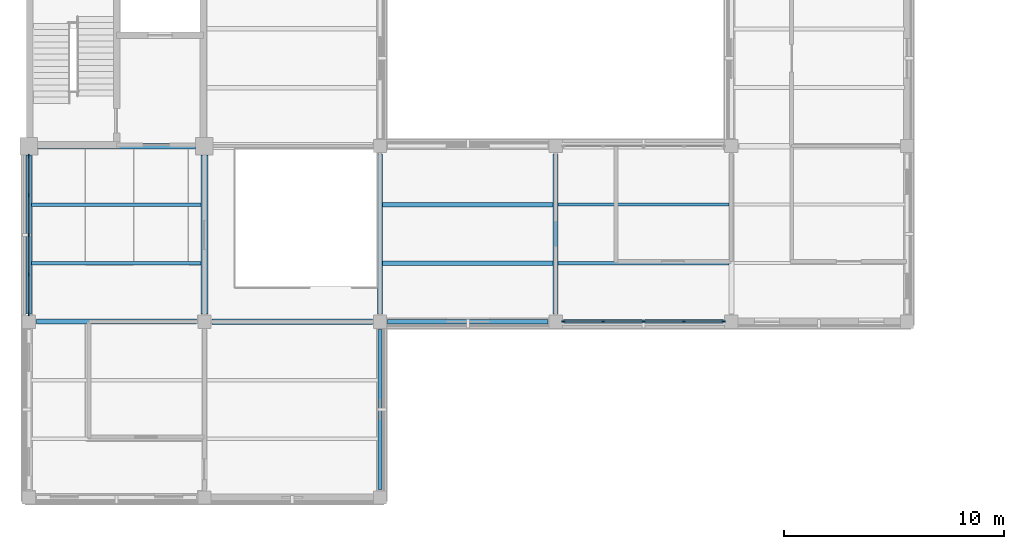
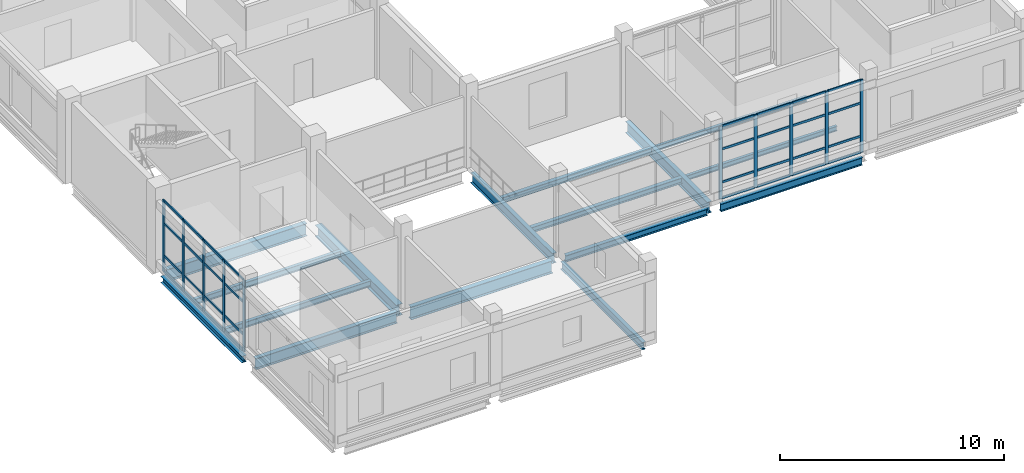
# One storey, part 9 of 121: 42 members, 16 beams, 2 elements without a shape of their own.
"""IFC4 building model written with IfcOpenShell, lengths in metres."""

from ifc_helpers import new_model, si_unit, derived_unit, direction, frame, origin, origin_2d, place, context, subcontext, project, spatial, rectangle, i_section, extrude, material, layer, layer_set, material_profile, profile_set, type_object, element, aggregate, save


model = new_model("IFC4")

# Units and contexts
model_context = context("Model", 3, precision=1e-05, world=origin(), true_north=direction((0.0, 1.0)))
body_context = subcontext(model_context, "Body", "Model", "MODEL_VIEW")
ifc_project = project(units=[si_unit("LENGTHUNIT", "METRE"), si_unit("AREAUNIT", "SQUARE_METRE"), si_unit("VOLUMEUNIT", "CUBIC_METRE"), si_unit("PLANEANGLEUNIT", "RADIAN"), si_unit("MASSUNIT", "GRAM", prefix="KILO"), derived_unit("THERMALTRANSMITTANCEUNIT", [(si_unit("MASSUNIT", "GRAM", prefix="KILO"), 1), (si_unit("TIMEUNIT", "SECOND"), -3), (si_unit("THERMODYNAMICTEMPERATUREUNIT", "KELVIN"), -1)])], contexts=[model_context])

# Site, building, storey
site_placement = place(None, origin())
site = spatial("IfcSite", under=ifc_project, at=site_placement, CompositionType="ELEMENT")
building_placement = place(site_placement, origin())
building = spatial("IfcBuilding", under=site, at=building_placement, Name="Veyamyaing Civic Hall", CompositionType="ELEMENT")
storey_placement = place(building_placement, frame((0.0, 0.0, 5.280029296875)))
storey = spatial("IfcBuildingStorey", under=building, at=storey_placement, Name="L01", CompositionType="ELEMENT", Elevation=5.280029296875)

# Beams
ifc_material_1 = material(Name="Steel ASTM A992", Category="steel")
ifc_material_profile_1 = material_profile(ifc_material_1, i_section(OverallWidth=0.22998046875, OverallDepth=0.616943359375, WebThickness=0.01318359375, FlangeThickness=0.022216796875, FilletRadius=0.012939453125, at=origin_2d()), Name="W610X140")
ifc_profile_set_1 = profile_set([ifc_material_profile_1], Name="Steel ASTM A992")
beam_type_1 = type_object("IfcBeamType", Name="B-05", PredefinedType="BEAM", material=ifc_profile_set_1)
for number, where, z_axis, x_axis, name in (
    (1, (0.35009765625, 8.0, -0.553466796875), (1.0, 0.0, 0.0), (0.0, 1.0, 0.0), "Girder B-05 L01 Grid B 1-2"),
    (2, (24.0, 8.35009765625, -0.553466796875), (0.0, 1.0, 0.0), (-1.0, 0.0, 0.0), "Girder B-05 L01 Grid 4 B-C"),
):
    element("IfcBeam", number, at=place(storey_placement, frame(where, z_axis=z_axis, x_axis=x_axis)), inside=storey, type_object=beam_type_1, Name=name, PredefinedType="BEAM", context=body_context, shape_type="SweptSolid", body=[
        extrude(i_section(OverallWidth=0.22998046875, OverallDepth=0.616943359375, WebThickness=0.01318359375, FlangeThickness=0.022216796875, FilletRadius=0.012939453125, at=origin_2d()), origin(), (0.0, 0.0, 1.0), 7.2998046875),
    ])
ifc_material_profile_2 = material_profile(ifc_material_1, i_section(OverallWidth=0.179931640625, OverallDepth=0.4130859375, WebThickness=0.009765625, FlangeThickness=0.01611328125, FilletRadius=0.010009765625, at=origin_2d()), Name="W410X74")
ifc_profile_set_2 = profile_set([ifc_material_profile_2], Name="Steel ASTM A992")
beam_type_2 = type_object("IfcBeamType", Name="B-10", PredefinedType="SPANDREL", material=ifc_profile_set_2)
beam_1_placement = place(storey_placement, frame((16.0, 0.35009765625, -0.451416015625), z_axis=(0.0, 1.0, 0.0), x_axis=(-1.0, 0.0, 0.0)))
element("IfcBeam", 3, at=beam_1_placement, inside=storey, type_object=beam_type_2, Name="Girder B-10 L01 Grid 3 A-B", PredefinedType="SPANDREL", context=body_context, shape_type="SweptSolid", body=[
    extrude(i_section(OverallWidth=0.179931640625, OverallDepth=0.4130859375, WebThickness=0.009765625, FlangeThickness=0.01611328125, FilletRadius=0.010009765625, at=origin_2d()), origin(), (0.0, 0.0, 1.0), 7.2998046875),
])
ifc_material_profile_3 = material_profile(ifc_material_1, i_section(OverallWidth=0.2041015625, OverallDepth=0.35009765625, WebThickness=0.0078125, FlangeThickness=0.01513671875, FilletRadius=0.010009765625, at=origin_2d()), Name="W360X72")
ifc_profile_set_3 = profile_set([ifc_material_profile_3], Name="Steel ASTM A992")
beam_type_3 = type_object("IfcBeamType", Name="B-11", PredefinedType="SPANDREL", material=ifc_profile_set_3)
beam_2_placement = place(storey_placement, frame((16.35009765625, 8.0, -0.419921875), z_axis=(1.0, 0.0, 0.0), x_axis=(0.0, 1.0, 0.0)))
element("IfcBeam", 4, at=beam_2_placement, inside=storey, type_object=beam_type_3, Name="Girder B-11 L01 Grid B 3-4", PredefinedType="SPANDREL", context=body_context, shape_type="SweptSolid", body=[
    extrude(i_section(OverallWidth=0.2041015625, OverallDepth=0.35009765625, WebThickness=0.0078125, FlangeThickness=0.01513671875, FilletRadius=0.010009765625, at=origin_2d()), origin(), (0.0, 0.0, 1.0), 7.2998046875),
])
ifc_material_profile_4 = material_profile(ifc_material_1, i_section(OverallWidth=0.25390625, OverallDepth=0.68408203125, WebThickness=0.012451171875, FlangeThickness=0.01904296875, FilletRadius=0.013916015625, at=origin_2d()), Name="W690X140")
ifc_profile_set_4 = profile_set([ifc_material_profile_4], Name="Steel ASTM A992")
beam_type_4 = type_object("IfcBeamType", Name="B-14", PredefinedType="BEAM", material=ifc_profile_set_4)
beam_3_placement = place(storey_placement, frame((8.35009765625, 8.0, -0.5869140625), z_axis=(1.0, 0.0, 0.0), x_axis=(0.0, 1.0, 0.0)))
element("IfcBeam", 5, at=beam_3_placement, inside=storey, type_object=beam_type_4, Name="Girder B-14 L01 Grid B 2-3", PredefinedType="BEAM", context=body_context, shape_type="SweptSolid", body=[
    extrude(i_section(OverallWidth=0.25390625, OverallDepth=0.68408203125, WebThickness=0.012451171875, FlangeThickness=0.01904296875, FilletRadius=0.013916015625, at=origin_2d()), origin(), (0.0, 0.0, 1.0), 7.2998046875),
])
beam_4_placement = place(storey_placement, frame((0.39990234375, 16.0, -0.5869140625), z_axis=(1.0, 0.0, 0.0), x_axis=(0.0, 1.0, 0.0)))
element("IfcBeam", 6, at=beam_4_placement, inside=storey, type_object=beam_type_4, Name="Girder B-14 L01 Grid C 1-2", PredefinedType="BEAM", context=body_context, shape_type="SweptSolid", body=[
    extrude(i_section(OverallWidth=0.25390625, OverallDepth=0.68408203125, WebThickness=0.012451171875, FlangeThickness=0.01904296875, FilletRadius=0.013916015625, at=origin_2d()), origin(), (0.0, 0.0, 1.0), 7.2001953125),
])
ifc_material_profile_5 = material_profile(ifc_material_1, i_section(OverallWidth=0.324951171875, OverallDepth=0.615966796875, WebThickness=0.013916015625, FlangeThickness=0.021484375, FilletRadius=0.013916015625, at=origin_2d()), Name="W610X174")
ifc_profile_set_5 = profile_set([ifc_material_profile_5], Name="Steel ASTM A992")
beam_type_5 = type_object("IfcBeamType", Name="B-15", PredefinedType="BEAM", material=ifc_profile_set_5)
beam_5_placement = place(storey_placement, frame((8.0, 8.35009765625, -0.552978515625), z_axis=(0.0, 1.0, 0.0), x_axis=(-1.0, 0.0, 0.0)))
element("IfcBeam", 7, at=beam_5_placement, inside=storey, type_object=beam_type_5, Name="Girder B-15 L01 Grid 2 B-C", PredefinedType="BEAM", context=body_context, shape_type="SweptSolid", body=[
    extrude(i_section(OverallWidth=0.324951171875, OverallDepth=0.615966796875, WebThickness=0.013916015625, FlangeThickness=0.021484375, FilletRadius=0.013916015625, at=origin_2d()), origin(), (0.0, 0.0, 1.0), 7.25),
])
ifc_material_profile_6 = material_profile(ifc_material_1, i_section(OverallWidth=0.214111328125, OverallDepth=0.549072265625, WebThickness=0.0146484375, FlangeThickness=0.023681640625, FilletRadius=0.011962890625, at=origin_2d()), Name="W530X138")
ifc_profile_set_6 = profile_set([ifc_material_profile_6], Name="Steel ASTM A992")
beam_type_6 = type_object("IfcBeamType", Name="B-16", PredefinedType="BEAM", material=ifc_profile_set_6)
beam_6_placement = place(storey_placement, frame((16.0, 8.35009765625, -0.51953125), z_axis=(0.0, 1.0, 0.0), x_axis=(-1.0, 0.0, 0.0)))
element("IfcBeam", 8, at=beam_6_placement, inside=storey, type_object=beam_type_6, Name="Girder B-16 L01 Grid 3 B-C", PredefinedType="BEAM", context=body_context, shape_type="SweptSolid", body=[
    extrude(i_section(OverallWidth=0.214111328125, OverallDepth=0.549072265625, WebThickness=0.0146484375, FlangeThickness=0.023681640625, FilletRadius=0.011962890625, at=origin_2d()), origin(), (0.0, 0.0, 1.0), 7.2998046875),
])
ifc_material_profile_7 = material_profile(ifc_material_1, i_section(OverallWidth=0.180908203125, OverallDepth=0.4169921875, WebThickness=0.010986328125, FlangeThickness=0.018310546875, FilletRadius=0.010009765625, at=origin_2d()), Name="W410X85")
ifc_profile_set_7 = profile_set([ifc_material_profile_7], Name="Steel ASTM A992")
beam_type_7 = type_object("IfcBeamType", Name="B-19", PredefinedType="SPANDREL", material=ifc_profile_set_7)
beam_7_placement = place(storey_placement, frame((24.35009765625, 8.0, -0.45361328125), z_axis=(1.0, 0.0, 0.0), x_axis=(0.0, 1.0, 0.0)))
element("IfcBeam", 9, at=beam_7_placement, inside=storey, type_object=beam_type_7, Name="Girder B-19 L01 Grid B 4-5", PredefinedType="SPANDREL", context=body_context, shape_type="SweptSolid", body=[
    extrude(i_section(OverallWidth=0.180908203125, OverallDepth=0.4169921875, WebThickness=0.010986328125, FlangeThickness=0.018310546875, FilletRadius=0.010009765625, at=origin_2d()), origin(), (0.0, 0.0, 1.0), 7.2998046875),
])
ifc_material_profile_8 = material_profile(ifc_material_1, i_section(OverallWidth=0.25390625, OverallDepth=0.35302734375, WebThickness=0.009521484375, FlangeThickness=0.016357421875, FilletRadius=0.011962890625, at=origin_2d()), Name="W360X91")
ifc_profile_set_8 = profile_set([ifc_material_profile_8], Name="Steel ASTM A992")
beam_type_8 = type_object("IfcBeamType", Name="B-20", PredefinedType="SPANDREL", material=ifc_profile_set_8)
beam_8_placement = place(storey_placement, frame((0.0, 8.35009765625, -0.421630859375), z_axis=(0.0, 1.0, 0.0), x_axis=(-1.0, 0.0, 0.0)))
element("IfcBeam", 10, at=beam_8_placement, inside=storey, type_object=beam_type_8, Name="Girder B-20 L01 Grid 1 B-C", PredefinedType="SPANDREL", context=body_context, shape_type="SweptSolid", body=[
    extrude(i_section(OverallWidth=0.25390625, OverallDepth=0.35302734375, WebThickness=0.009521484375, FlangeThickness=0.016357421875, FilletRadius=0.011962890625, at=origin_2d()), origin(), (0.0, 0.0, 1.0), 7.25),
])

# Curtain wall, members
ifc_material_2 = material(Name="Anodised aluminium 6063-T6", Category="aluminium")
ifc_layer = layer(ifc_material_2, 0.159912109375, Name="Anodised aluminium 6063-T6")
ifc_layer_set = layer_set([ifc_layer], Name="Anodised aluminium 6063-T6")
curtain_wall_type = type_object("IfcCurtainWallType", Name="CW-02", PredefinedType="NOTDEFINED", material=ifc_layer_set)
curtain_wall_1_placement = place(storey_placement, origin())
curtain_wall_1 = element("IfcCurtainWall", 11, at=curtain_wall_1_placement, inside=storey, type_object=curtain_wall_type, Name="Unitized curtain wall CW-02 L01 W 1.2", PredefinedType="NOTDEFINED")
ifc_material_profile_9 = material_profile(ifc_material_2, rectangle(XDim=0.06494140625, YDim=0.159912109375, at=origin_2d()), Name="ALU-MUL-65X160")
ifc_profile_set_9 = profile_set([ifc_material_profile_9], Name="Anodised aluminium 6063-T6")
member_type_1 = type_object("IfcMemberType", Name="CWM-01", PredefinedType="MULLION", material=ifc_profile_set_9)
member_1_placement = place(storey_placement, frame((0.0, 8.362548828125, 0.0), z_axis=(0.0, 0.0, 1.0), x_axis=(-1.0, 0.0, 0.0)))
member_1 = element("IfcMember", 12, at=member_1_placement, type_object=member_type_1, Name="CW-02 mullion 1", PredefinedType="MULLION", context=body_context, shape_type="SweptSolid", body=[
    extrude(rectangle(XDim=0.06494140625, YDim=0.159912109375, at=origin_2d()), origin(), (0.0, 0.0, 1.0), 3.9140625),
])
member_2_placement = place(storey_placement, frame((0.0, 10.139892578125, 0.0), z_axis=(0.0, 0.0, 1.0), x_axis=(-1.0, 0.0, 0.0)))
member_2 = element("IfcMember", 13, at=member_2_placement, type_object=member_type_1, Name="CW-02 mullion 2", PredefinedType="MULLION", context=body_context, shape_type="SweptSolid", body=[
    extrude(rectangle(XDim=0.06494140625, YDim=0.159912109375, at=origin_2d()), origin(), (0.0, 0.0, 1.0), 3.9140625),
])
member_3_placement = place(storey_placement, frame((0.0, 11.949951171875, 0.0), z_axis=(0.0, 0.0, 1.0), x_axis=(-1.0, 0.0, 0.0)))
member_3 = element("IfcMember", 14, at=member_3_placement, type_object=member_type_1, Name="CW-02 mullion 3", PredefinedType="MULLION", context=body_context, shape_type="SweptSolid", body=[
    extrude(rectangle(XDim=0.06494140625, YDim=0.159912109375, at=origin_2d()), origin(), (0.0, 0.0, 1.0), 3.9140625),
])
member_4_placement = place(storey_placement, frame((0.0, 13.760009765625, 0.0), z_axis=(0.0, 0.0, 1.0), x_axis=(-1.0, 0.0, 0.0)))
member_4 = element("IfcMember", 15, at=member_4_placement, type_object=member_type_1, Name="CW-02 mullion 4", PredefinedType="MULLION", context=body_context, shape_type="SweptSolid", body=[
    extrude(rectangle(XDim=0.06494140625, YDim=0.159912109375, at=origin_2d()), origin(), (0.0, 0.0, 1.0), 3.9140625),
])
member_5_placement = place(storey_placement, frame((0.0, 15.53759765625, 0.0), z_axis=(0.0, 0.0, 1.0), x_axis=(-1.0, 0.0, 0.0)))
member_5 = element("IfcMember", 16, at=member_5_placement, type_object=member_type_1, Name="CW-02 mullion 5", PredefinedType="MULLION", context=body_context, shape_type="SweptSolid", body=[
    extrude(rectangle(XDim=0.06494140625, YDim=0.159912109375, at=origin_2d()), origin(), (0.0, 0.0, 1.0), 3.9140625),
])

curtain_wall_2_placement = place(storey_placement, origin())
curtain_wall_2 = element("IfcCurtainWall", 17, at=curtain_wall_2_placement, inside=storey, type_object=curtain_wall_type, Name="Unitized curtain wall CW-02 L01 S 4.2", PredefinedType="NOTDEFINED")
member_6_placement = place(storey_placement, frame((24.362548828125, 8.0, 0.0), z_axis=(0.0, 0.0, 1.0), x_axis=(0.0, 1.0, 0.0)))
member_6 = element("IfcMember", 18, at=member_6_placement, type_object=member_type_1, Name="CW-02 mullion 1", PredefinedType="MULLION", context=body_context, shape_type="SweptSolid", body=[
    extrude(rectangle(XDim=0.06494140625, YDim=0.159912109375, at=origin_2d()), origin(), (0.0, 0.0, 1.0), 3.973876953125),
])
member_7_placement = place(storey_placement, frame((26.1650390625, 8.0, 0.0), z_axis=(0.0, 0.0, 1.0), x_axis=(0.0, 1.0, 0.0)))
member_7 = element("IfcMember", 19, at=member_7_placement, type_object=member_type_1, Name="CW-02 mullion 2", PredefinedType="MULLION", context=body_context, shape_type="SweptSolid", body=[
    extrude(rectangle(XDim=0.06494140625, YDim=0.159912109375, at=origin_2d()), origin(), (0.0, 0.0, 1.0), 3.973876953125),
])
member_8_placement = place(storey_placement, frame((28.0, 8.0, 0.0), z_axis=(0.0, 0.0, 1.0), x_axis=(0.0, 1.0, 0.0)))
member_8 = element("IfcMember", 20, at=member_8_placement, type_object=member_type_1, Name="CW-02 mullion 3", PredefinedType="MULLION", context=body_context, shape_type="SweptSolid", body=[
    extrude(rectangle(XDim=0.06494140625, YDim=0.159912109375, at=origin_2d()), origin(), (0.0, 0.0, 1.0), 3.973876953125),
])
member_9_placement = place(storey_placement, frame((29.8349609375, 8.0, 0.0), z_axis=(0.0, 0.0, 1.0), x_axis=(0.0, 1.0, 0.0)))
member_9 = element("IfcMember", 21, at=member_9_placement, type_object=member_type_1, Name="CW-02 mullion 4", PredefinedType="MULLION", context=body_context, shape_type="SweptSolid", body=[
    extrude(rectangle(XDim=0.06494140625, YDim=0.159912109375, at=origin_2d()), origin(), (0.0, 0.0, 1.0), 3.973876953125),
])
member_10_placement = place(storey_placement, frame((31.637451171875, 8.0, 0.0), z_axis=(0.0, 0.0, 1.0), x_axis=(0.0, 1.0, 0.0)))
member_10 = element("IfcMember", 22, at=member_10_placement, type_object=member_type_1, Name="CW-02 mullion 5", PredefinedType="MULLION", context=body_context, shape_type="SweptSolid", body=[
    extrude(rectangle(XDim=0.06494140625, YDim=0.159912109375, at=origin_2d()), origin(), (0.0, 0.0, 1.0), 3.973876953125),
])

# Member
ifc_material_profile_10 = material_profile(ifc_material_2, rectangle(XDim=0.06494140625, YDim=0.1201171875, at=origin_2d()), Name="ALU-TRN-65X120")
ifc_profile_set_10 = profile_set([ifc_material_profile_10], Name="Anodised aluminium 6063-T6")
member_type_2 = type_object("IfcMemberType", Name="CWT-01", PredefinedType="USERDEFINED", material=ifc_profile_set_10)
member_11_placement = place(storey_placement, frame((0.0, 8.39501953125, 0.032470703125), z_axis=(0.0, 1.0, 0.0), x_axis=(-1.0, 0.0, 0.0)))
member_11 = element("IfcMember", 23, at=member_11_placement, type_object=member_type_2, Name="CW-02 transom 1.1", ObjectType="TRANSOM", PredefinedType="USERDEFINED", context=body_context, shape_type="SweptSolid", body=[
    extrude(rectangle(XDim=0.06494140625, YDim=0.1201171875, at=origin_2d()), origin(), (0.0, 0.0, 1.0), 1.71240234375),
])

member_12_placement = place(storey_placement, frame((0.0, 8.39501953125, 0.89990234375), z_axis=(0.0, 1.0, 0.0), x_axis=(-1.0, 0.0, 0.0)))
member_12 = element("IfcMember", 24, at=member_12_placement, type_object=member_type_2, Name="CW-02 transom 1.2", ObjectType="TRANSOM", PredefinedType="USERDEFINED", context=body_context, shape_type="SweptSolid", body=[
    extrude(rectangle(XDim=0.06494140625, YDim=0.1201171875, at=origin_2d()), origin(), (0.0, 0.0, 1.0), 1.71240234375),
])

member_13_placement = place(storey_placement, frame((0.0, 8.39501953125, 2.661376953125), z_axis=(0.0, 1.0, 0.0), x_axis=(-1.0, 0.0, 0.0)))
member_13 = element("IfcMember", 25, at=member_13_placement, type_object=member_type_2, Name="CW-02 transom 1.3", ObjectType="TRANSOM", PredefinedType="USERDEFINED", context=body_context, shape_type="SweptSolid", body=[
    extrude(rectangle(XDim=0.06494140625, YDim=0.1201171875, at=origin_2d()), origin(), (0.0, 0.0, 1.0), 1.71240234375),
])

member_14_placement = place(storey_placement, frame((0.0, 8.39501953125, 3.881591796875), z_axis=(0.0, 1.0, 0.0), x_axis=(-1.0, 0.0, 0.0)))
member_14 = element("IfcMember", 26, at=member_14_placement, type_object=member_type_2, Name="CW-02 transom 1.4", ObjectType="TRANSOM", PredefinedType="USERDEFINED", context=body_context, shape_type="SweptSolid", body=[
    extrude(rectangle(XDim=0.06494140625, YDim=0.1201171875, at=origin_2d()), origin(), (0.0, 0.0, 1.0), 1.71240234375),
])

member_15_placement = place(storey_placement, frame((0.0, 10.172607421875, 0.032470703125), z_axis=(0.0, 1.0, 0.0), x_axis=(-1.0, 0.0, 0.0)))
member_15 = element("IfcMember", 27, at=member_15_placement, type_object=member_type_2, Name="CW-02 transom 2.1", ObjectType="TRANSOM", PredefinedType="USERDEFINED", context=body_context, shape_type="SweptSolid", body=[
    extrude(rectangle(XDim=0.06494140625, YDim=0.1201171875, at=origin_2d()), origin(), (0.0, 0.0, 1.0), 1.744873046875),
])

member_16_placement = place(storey_placement, frame((0.0, 10.172607421875, 0.89990234375), z_axis=(0.0, 1.0, 0.0), x_axis=(-1.0, 0.0, 0.0)))
member_16 = element("IfcMember", 28, at=member_16_placement, type_object=member_type_2, Name="CW-02 transom 2.2", ObjectType="TRANSOM", PredefinedType="USERDEFINED", context=body_context, shape_type="SweptSolid", body=[
    extrude(rectangle(XDim=0.06494140625, YDim=0.1201171875, at=origin_2d()), origin(), (0.0, 0.0, 1.0), 1.744873046875),
])

member_17_placement = place(storey_placement, frame((0.0, 10.172607421875, 2.661376953125), z_axis=(0.0, 1.0, 0.0), x_axis=(-1.0, 0.0, 0.0)))
member_17 = element("IfcMember", 29, at=member_17_placement, type_object=member_type_2, Name="CW-02 transom 2.3", ObjectType="TRANSOM", PredefinedType="USERDEFINED", context=body_context, shape_type="SweptSolid", body=[
    extrude(rectangle(XDim=0.06494140625, YDim=0.1201171875, at=origin_2d()), origin(), (0.0, 0.0, 1.0), 1.744873046875),
])

member_18_placement = place(storey_placement, frame((0.0, 10.172607421875, 3.881591796875), z_axis=(0.0, 1.0, 0.0), x_axis=(-1.0, 0.0, 0.0)))
member_18 = element("IfcMember", 30, at=member_18_placement, type_object=member_type_2, Name="CW-02 transom 2.4", ObjectType="TRANSOM", PredefinedType="USERDEFINED", context=body_context, shape_type="SweptSolid", body=[
    extrude(rectangle(XDim=0.06494140625, YDim=0.1201171875, at=origin_2d()), origin(), (0.0, 0.0, 1.0), 1.744873046875),
])

member_19_placement = place(storey_placement, frame((0.0, 11.982421875, 0.032470703125), z_axis=(0.0, 1.0, 0.0), x_axis=(-1.0, 0.0, 0.0)))
member_19 = element("IfcMember", 31, at=member_19_placement, type_object=member_type_2, Name="CW-02 transom 3.1", ObjectType="TRANSOM", PredefinedType="USERDEFINED", context=body_context, shape_type="SweptSolid", body=[
    extrude(rectangle(XDim=0.06494140625, YDim=0.1201171875, at=origin_2d()), origin(), (0.0, 0.0, 1.0), 1.7451171875),
])

member_20_placement = place(storey_placement, frame((0.0, 11.982421875, 0.89990234375), z_axis=(0.0, 1.0, 0.0), x_axis=(-1.0, 0.0, 0.0)))
member_20 = element("IfcMember", 32, at=member_20_placement, type_object=member_type_2, Name="CW-02 transom 3.2", ObjectType="TRANSOM", PredefinedType="USERDEFINED", context=body_context, shape_type="SweptSolid", body=[
    extrude(rectangle(XDim=0.06494140625, YDim=0.1201171875, at=origin_2d()), origin(), (0.0, 0.0, 1.0), 1.7451171875),
])

member_21_placement = place(storey_placement, frame((0.0, 11.982421875, 2.661376953125), z_axis=(0.0, 1.0, 0.0), x_axis=(-1.0, 0.0, 0.0)))
member_21 = element("IfcMember", 33, at=member_21_placement, type_object=member_type_2, Name="CW-02 transom 3.3", ObjectType="TRANSOM", PredefinedType="USERDEFINED", context=body_context, shape_type="SweptSolid", body=[
    extrude(rectangle(XDim=0.06494140625, YDim=0.1201171875, at=origin_2d()), origin(), (0.0, 0.0, 1.0), 1.7451171875),
])

member_22_placement = place(storey_placement, frame((0.0, 11.982421875, 3.881591796875), z_axis=(0.0, 1.0, 0.0), x_axis=(-1.0, 0.0, 0.0)))
member_22 = element("IfcMember", 34, at=member_22_placement, type_object=member_type_2, Name="CW-02 transom 3.4", ObjectType="TRANSOM", PredefinedType="USERDEFINED", context=body_context, shape_type="SweptSolid", body=[
    extrude(rectangle(XDim=0.06494140625, YDim=0.1201171875, at=origin_2d()), origin(), (0.0, 0.0, 1.0), 1.7451171875),
])

member_23_placement = place(storey_placement, frame((0.0, 13.79248046875, 0.032470703125), z_axis=(0.0, 1.0, 0.0), x_axis=(-1.0, 0.0, 0.0)))
member_23 = element("IfcMember", 35, at=member_23_placement, type_object=member_type_2, Name="CW-02 transom 4.1", ObjectType="TRANSOM", PredefinedType="USERDEFINED", context=body_context, shape_type="SweptSolid", body=[
    extrude(rectangle(XDim=0.06494140625, YDim=0.1201171875, at=origin_2d()), origin(), (0.0, 0.0, 1.0), 1.71240234375),
])

member_24_placement = place(storey_placement, frame((0.0, 13.79248046875, 0.89990234375), z_axis=(0.0, 1.0, 0.0), x_axis=(-1.0, 0.0, 0.0)))
member_24 = element("IfcMember", 36, at=member_24_placement, type_object=member_type_2, Name="CW-02 transom 4.2", ObjectType="TRANSOM", PredefinedType="USERDEFINED", context=body_context, shape_type="SweptSolid", body=[
    extrude(rectangle(XDim=0.06494140625, YDim=0.1201171875, at=origin_2d()), origin(), (0.0, 0.0, 1.0), 1.71240234375),
])

member_25_placement = place(storey_placement, frame((0.0, 13.79248046875, 2.661376953125), z_axis=(0.0, 1.0, 0.0), x_axis=(-1.0, 0.0, 0.0)))
member_25 = element("IfcMember", 37, at=member_25_placement, type_object=member_type_2, Name="CW-02 transom 4.3", ObjectType="TRANSOM", PredefinedType="USERDEFINED", context=body_context, shape_type="SweptSolid", body=[
    extrude(rectangle(XDim=0.06494140625, YDim=0.1201171875, at=origin_2d()), origin(), (0.0, 0.0, 1.0), 1.71240234375),
])

member_26_placement = place(storey_placement, frame((0.0, 13.79248046875, 3.881591796875), z_axis=(0.0, 1.0, 0.0), x_axis=(-1.0, 0.0, 0.0)))
member_26 = element("IfcMember", 38, at=member_26_placement, type_object=member_type_2, Name="CW-02 transom 4.4", ObjectType="TRANSOM", PredefinedType="USERDEFINED", context=body_context, shape_type="SweptSolid", body=[
    extrude(rectangle(XDim=0.06494140625, YDim=0.1201171875, at=origin_2d()), origin(), (0.0, 0.0, 1.0), 1.71240234375),
])

aggregate(curtain_wall_1, [member_1, member_2, member_3, member_4, member_5, member_11, member_12, member_13, member_14, member_15, member_16, member_17, member_18, member_19, member_20, member_21, member_22, member_23, member_24, member_25, member_26])

member_27_placement = place(storey_placement, frame((24.39501953125, 8.0, 0.032470703125), z_axis=(1.0, 0.0, 0.0), x_axis=(0.0, 1.0, 0.0)))
member_27 = element("IfcMember", 39, at=member_27_placement, type_object=member_type_2, Name="CW-02 transom 1.1", ObjectType="TRANSOM", PredefinedType="USERDEFINED", context=body_context, shape_type="SweptSolid", body=[
    extrude(rectangle(XDim=0.06494140625, YDim=0.1201171875, at=origin_2d()), origin(), (0.0, 0.0, 1.0), 1.737548828125),
])

member_28_placement = place(storey_placement, frame((24.39501953125, 8.0, 0.89990234375), z_axis=(1.0, 0.0, 0.0), x_axis=(0.0, 1.0, 0.0)))
member_28 = element("IfcMember", 40, at=member_28_placement, type_object=member_type_2, Name="CW-02 transom 1.2", ObjectType="TRANSOM", PredefinedType="USERDEFINED", context=body_context, shape_type="SweptSolid", body=[
    extrude(rectangle(XDim=0.06494140625, YDim=0.1201171875, at=origin_2d()), origin(), (0.0, 0.0, 1.0), 1.737548828125),
])

member_29_placement = place(storey_placement, frame((24.39501953125, 8.0, 2.702392578125), z_axis=(1.0, 0.0, 0.0), x_axis=(0.0, 1.0, 0.0)))
member_29 = element("IfcMember", 41, at=member_29_placement, type_object=member_type_2, Name="CW-02 transom 1.3", ObjectType="TRANSOM", PredefinedType="USERDEFINED", context=body_context, shape_type="SweptSolid", body=[
    extrude(rectangle(XDim=0.06494140625, YDim=0.1201171875, at=origin_2d()), origin(), (0.0, 0.0, 1.0), 1.737548828125),
])

member_30_placement = place(storey_placement, frame((24.39501953125, 8.0, 3.94140625), z_axis=(1.0, 0.0, 0.0), x_axis=(0.0, 1.0, 0.0)))
member_30 = element("IfcMember", 42, at=member_30_placement, type_object=member_type_2, Name="CW-02 transom 1.4", ObjectType="TRANSOM", PredefinedType="USERDEFINED", context=body_context, shape_type="SweptSolid", body=[
    extrude(rectangle(XDim=0.06494140625, YDim=0.1201171875, at=origin_2d()), origin(), (0.0, 0.0, 1.0), 1.737548828125),
])

member_31_placement = place(storey_placement, frame((26.197509765625, 8.0, 0.032470703125), z_axis=(1.0, 0.0, 0.0), x_axis=(0.0, 1.0, 0.0)))
member_31 = element("IfcMember", 43, at=member_31_placement, type_object=member_type_2, Name="CW-02 transom 2.1", ObjectType="TRANSOM", PredefinedType="USERDEFINED", context=body_context, shape_type="SweptSolid", body=[
    extrude(rectangle(XDim=0.06494140625, YDim=0.1201171875, at=origin_2d()), origin(), (0.0, 0.0, 1.0), 1.77001953125),
])

member_32_placement = place(storey_placement, frame((26.197509765625, 8.0, 0.89990234375), z_axis=(1.0, 0.0, 0.0), x_axis=(0.0, 1.0, 0.0)))
member_32 = element("IfcMember", 44, at=member_32_placement, type_object=member_type_2, Name="CW-02 transom 2.2", ObjectType="TRANSOM", PredefinedType="USERDEFINED", context=body_context, shape_type="SweptSolid", body=[
    extrude(rectangle(XDim=0.06494140625, YDim=0.1201171875, at=origin_2d()), origin(), (0.0, 0.0, 1.0), 1.77001953125),
])

member_33_placement = place(storey_placement, frame((26.197509765625, 8.0, 2.702392578125), z_axis=(1.0, 0.0, 0.0), x_axis=(0.0, 1.0, 0.0)))
member_33 = element("IfcMember", 45, at=member_33_placement, type_object=member_type_2, Name="CW-02 transom 2.3", ObjectType="TRANSOM", PredefinedType="USERDEFINED", context=body_context, shape_type="SweptSolid", body=[
    extrude(rectangle(XDim=0.06494140625, YDim=0.1201171875, at=origin_2d()), origin(), (0.0, 0.0, 1.0), 1.77001953125),
])

member_34_placement = place(storey_placement, frame((26.197509765625, 8.0, 3.94140625), z_axis=(1.0, 0.0, 0.0), x_axis=(0.0, 1.0, 0.0)))
member_34 = element("IfcMember", 46, at=member_34_placement, type_object=member_type_2, Name="CW-02 transom 2.4", ObjectType="TRANSOM", PredefinedType="USERDEFINED", context=body_context, shape_type="SweptSolid", body=[
    extrude(rectangle(XDim=0.06494140625, YDim=0.1201171875, at=origin_2d()), origin(), (0.0, 0.0, 1.0), 1.77001953125),
])

member_35_placement = place(storey_placement, frame((28.032470703125, 8.0, 0.032470703125), z_axis=(1.0, 0.0, 0.0), x_axis=(0.0, 1.0, 0.0)))
member_35 = element("IfcMember", 47, at=member_35_placement, type_object=member_type_2, Name="CW-02 transom 3.1", ObjectType="TRANSOM", PredefinedType="USERDEFINED", context=body_context, shape_type="SweptSolid", body=[
    extrude(rectangle(XDim=0.06494140625, YDim=0.1201171875, at=origin_2d()), origin(), (0.0, 0.0, 1.0), 1.77001953125),
])

member_36_placement = place(storey_placement, frame((28.032470703125, 8.0, 0.89990234375), z_axis=(1.0, 0.0, 0.0), x_axis=(0.0, 1.0, 0.0)))
member_36 = element("IfcMember", 48, at=member_36_placement, type_object=member_type_2, Name="CW-02 transom 3.2", ObjectType="TRANSOM", PredefinedType="USERDEFINED", context=body_context, shape_type="SweptSolid", body=[
    extrude(rectangle(XDim=0.06494140625, YDim=0.1201171875, at=origin_2d()), origin(), (0.0, 0.0, 1.0), 1.77001953125),
])

member_37_placement = place(storey_placement, frame((28.032470703125, 8.0, 2.702392578125), z_axis=(1.0, 0.0, 0.0), x_axis=(0.0, 1.0, 0.0)))
member_37 = element("IfcMember", 49, at=member_37_placement, type_object=member_type_2, Name="CW-02 transom 3.3", ObjectType="TRANSOM", PredefinedType="USERDEFINED", context=body_context, shape_type="SweptSolid", body=[
    extrude(rectangle(XDim=0.06494140625, YDim=0.1201171875, at=origin_2d()), origin(), (0.0, 0.0, 1.0), 1.77001953125),
])

member_38_placement = place(storey_placement, frame((28.032470703125, 8.0, 3.94140625), z_axis=(1.0, 0.0, 0.0), x_axis=(0.0, 1.0, 0.0)))
member_38 = element("IfcMember", 50, at=member_38_placement, type_object=member_type_2, Name="CW-02 transom 3.4", ObjectType="TRANSOM", PredefinedType="USERDEFINED", context=body_context, shape_type="SweptSolid", body=[
    extrude(rectangle(XDim=0.06494140625, YDim=0.1201171875, at=origin_2d()), origin(), (0.0, 0.0, 1.0), 1.77001953125),
])

member_39_placement = place(storey_placement, frame((29.867431640625, 8.0, 0.032470703125), z_axis=(1.0, 0.0, 0.0), x_axis=(0.0, 1.0, 0.0)))
member_39 = element("IfcMember", 51, at=member_39_placement, type_object=member_type_2, Name="CW-02 transom 4.1", ObjectType="TRANSOM", PredefinedType="USERDEFINED", context=body_context, shape_type="SweptSolid", body=[
    extrude(rectangle(XDim=0.06494140625, YDim=0.1201171875, at=origin_2d()), origin(), (0.0, 0.0, 1.0), 1.737548828125),
])

member_40_placement = place(storey_placement, frame((29.867431640625, 8.0, 0.89990234375), z_axis=(1.0, 0.0, 0.0), x_axis=(0.0, 1.0, 0.0)))
member_40 = element("IfcMember", 52, at=member_40_placement, type_object=member_type_2, Name="CW-02 transom 4.2", ObjectType="TRANSOM", PredefinedType="USERDEFINED", context=body_context, shape_type="SweptSolid", body=[
    extrude(rectangle(XDim=0.06494140625, YDim=0.1201171875, at=origin_2d()), origin(), (0.0, 0.0, 1.0), 1.737548828125),
])

member_41_placement = place(storey_placement, frame((29.867431640625, 8.0, 2.702392578125), z_axis=(1.0, 0.0, 0.0), x_axis=(0.0, 1.0, 0.0)))
member_41 = element("IfcMember", 53, at=member_41_placement, type_object=member_type_2, Name="CW-02 transom 4.3", ObjectType="TRANSOM", PredefinedType="USERDEFINED", context=body_context, shape_type="SweptSolid", body=[
    extrude(rectangle(XDim=0.06494140625, YDim=0.1201171875, at=origin_2d()), origin(), (0.0, 0.0, 1.0), 1.737548828125),
])

member_42_placement = place(storey_placement, frame((29.867431640625, 8.0, 3.94140625), z_axis=(1.0, 0.0, 0.0), x_axis=(0.0, 1.0, 0.0)))
member_42 = element("IfcMember", 54, at=member_42_placement, type_object=member_type_2, Name="CW-02 transom 4.4", ObjectType="TRANSOM", PredefinedType="USERDEFINED", context=body_context, shape_type="SweptSolid", body=[
    extrude(rectangle(XDim=0.06494140625, YDim=0.1201171875, at=origin_2d()), origin(), (0.0, 0.0, 1.0), 1.737548828125),
])

aggregate(curtain_wall_2, [member_6, member_7, member_8, member_9, member_10, member_27, member_28, member_29, member_30, member_31, member_32, member_33, member_34, member_35, member_36, member_37, member_38, member_39, member_40, member_41, member_42])

# Beams
ifc_material_profile_11 = material_profile(ifc_material_1, i_section(OverallWidth=0.1669921875, OverallDepth=0.318115234375, WebThickness=0.007568359375, FlangeThickness=0.01318359375, FilletRadius=0.010009765625, at=origin_2d()), Name="W310X52")
ifc_profile_set_11 = profile_set([ifc_material_profile_11], Name="Steel ASTM A992")
beam_type_9 = type_object("IfcBeamType", Name="J-04", PredefinedType="JOIST", material=ifc_profile_set_11)
for number, where, z_axis, x_axis, name in (
    (55, (0.125, 10.666748046875, -0.404052734375), (1.0, 0.0, 0.0), (0.0, 1.0, 0.0), "Composite floor joist J-04 L01 1.2.1"),
    (56, (0.125, 13.333251953125, -0.404052734375), (1.0, 0.0, 0.0), (0.0, 1.0, 0.0), "Composite floor joist J-04 L01 1.2.2"),
):
    element("IfcBeam", number, at=place(storey_placement, frame(where, z_axis=z_axis, x_axis=x_axis)), inside=storey, type_object=beam_type_9, Name=name, PredefinedType="JOIST", context=body_context, shape_type="SweptSolid", body=[
        extrude(i_section(OverallWidth=0.1669921875, OverallDepth=0.318115234375, WebThickness=0.007568359375, FlangeThickness=0.01318359375, FilletRadius=0.010009765625, at=origin_2d()), origin(), (0.0, 0.0, 1.0), 7.714599609375),
    ])
ifc_material_profile_12 = material_profile(ifc_material_1, i_section(OverallWidth=0.2041015625, OverallDepth=0.305908203125, WebThickness=0.008544921875, FlangeThickness=0.0146484375, FilletRadius=0.010009765625, at=origin_2d()), Name="W310X67")
ifc_profile_set_12 = profile_set([ifc_material_profile_12], Name="Steel ASTM A992")
beam_type_10 = type_object("IfcBeamType", Name="J-06", PredefinedType="JOIST", material=ifc_profile_set_12)
for number, where, z_axis, x_axis, name in (
    (57, (16.10498046875, 10.666748046875, -0.39794921875), (1.0, 0.0, 0.0), (0.0, 1.0, 0.0), "Composite floor joist J-06 L01 3.2.1"),
    (58, (16.10498046875, 13.333251953125, -0.39794921875), (1.0, 0.0, 0.0), (0.0, 1.0, 0.0), "Composite floor joist J-06 L01 3.2.2"),
):
    element("IfcBeam", number, at=place(storey_placement, frame(where, z_axis=z_axis, x_axis=x_axis)), inside=storey, type_object=beam_type_10, Name=name, PredefinedType="JOIST", context=body_context, shape_type="SweptSolid", body=[
        extrude(i_section(OverallWidth=0.2041015625, OverallDepth=0.305908203125, WebThickness=0.008544921875, FlangeThickness=0.0146484375, FilletRadius=0.010009765625, at=origin_2d()), origin(), (0.0, 0.0, 1.0), 7.781982421875),
    ])
ifc_material_profile_13 = material_profile(ifc_material_1, i_section(OverallWidth=0.14794921875, OverallDepth=0.26611328125, WebThickness=0.007568359375, FlangeThickness=0.012939453125, FilletRadius=0.010009765625, at=origin_2d()), Name="W250X45")
ifc_profile_set_13 = profile_set([ifc_material_profile_13], Name="Steel ASTM A992")
beam_type_11 = type_object("IfcBeamType", Name="J-07", PredefinedType="JOIST", material=ifc_profile_set_13)
for number, where, z_axis, x_axis, name in (
    (59, (24.113037109375, 10.666748046875, -0.3779296875), (1.0, 0.0, 0.0), (0.0, 1.0, 0.0), "Composite floor joist J-07 L01 4.2.1"),
    (60, (24.113037109375, 13.333251953125, -0.3779296875), (1.0, 0.0, 0.0), (0.0, 1.0, 0.0), "Composite floor joist J-07 L01 4.2.2"),
):
    element("IfcBeam", number, at=place(storey_placement, frame(where, z_axis=z_axis, x_axis=x_axis)), inside=storey, type_object=beam_type_11, Name=name, PredefinedType="JOIST", context=body_context, shape_type="SweptSolid", body=[
        extrude(i_section(OverallWidth=0.14794921875, OverallDepth=0.26611328125, WebThickness=0.007568359375, FlangeThickness=0.012939453125, FilletRadius=0.010009765625, at=origin_2d()), origin(), (0.0, 0.0, 1.0), 7.77490234375),
    ])

save(model, "model.ifc")
